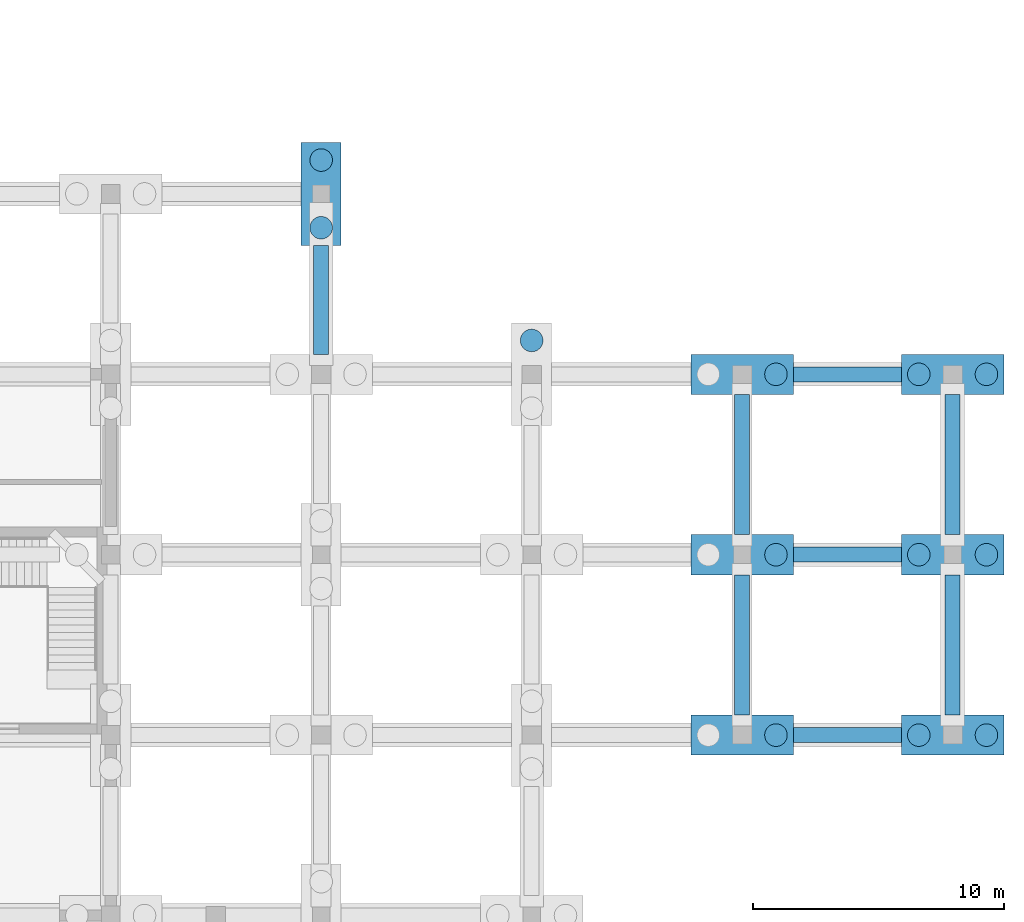
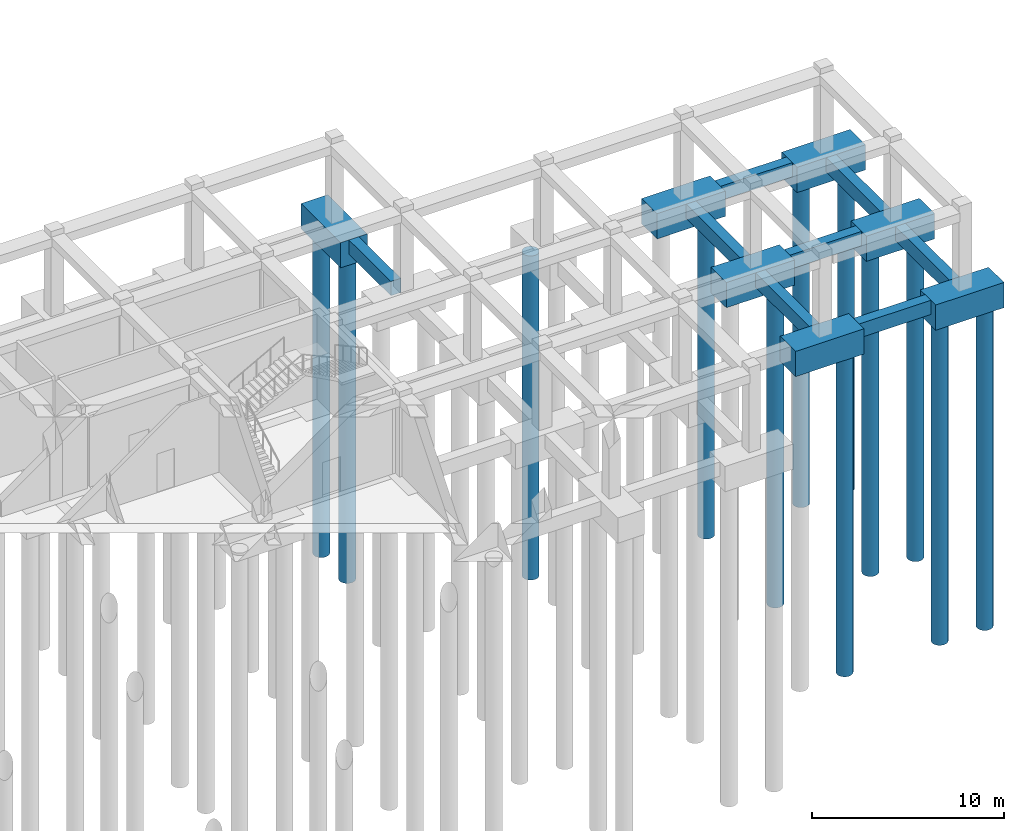
# One storey, part 8 of 32: 15 footings, 12 piles.
"""IFC4 building model written with IfcOpenShell, lengths in metres."""

from ifc_helpers import new_model, si_unit, derived_unit, direction, frame, origin, origin_2d, place, context, subcontext, project, spatial, rectangle, circle, extrude, material, material_profile, profile_set, type_object, element, save


model = new_model("IFC4")

# Units and contexts
model_context = context("Model", 3, precision=1e-05, world=origin(), true_north=direction((0.0, 1.0)))
body_context = subcontext(model_context, "Body", "Model", "MODEL_VIEW")
ifc_project = project(units=[si_unit("LENGTHUNIT", "METRE"), si_unit("AREAUNIT", "SQUARE_METRE"), si_unit("VOLUMEUNIT", "CUBIC_METRE"), si_unit("PLANEANGLEUNIT", "RADIAN"), si_unit("MASSUNIT", "GRAM", prefix="KILO"), derived_unit("THERMALTRANSMITTANCEUNIT", [(si_unit("POWERUNIT", "WATT"), 1), (si_unit("LENGTHUNIT", "METRE"), -2), (si_unit("THERMODYNAMICTEMPERATUREUNIT", "KELVIN"), -1)])], contexts=[model_context])

# Site, building, storey
site_placement = place(None, origin())
site = spatial("IfcSite", under=ifc_project, at=site_placement, CompositionType="ELEMENT")
building_placement = place(site_placement, origin())
building = spatial("IfcBuilding", under=site, at=building_placement, Name="Veybourne Emporium", CompositionType="ELEMENT")
storey_placement = place(building_placement, frame((0.0, 0.0, -5.39990234375)))
storey = spatial("IfcBuildingStorey", under=building, at=storey_placement, Name="B1", CompositionType="ELEMENT", Elevation=-5.39990234375)

# Footings
ifc_material = material(Name="Concrete C35/45", Category="concrete")
footing_type_1 = type_object("IfcFootingType", Name="GroundBeam_GB-4300", PredefinedType="FOOTING_BEAM", material=ifc_material)
for number, where, z_axis, x_axis, name in (
    (1, (163.800048828125, 7.199951171875, -0.900146484375), (0.0, 0.0, 1.0), (1.0, 0.0, 0.0), "Ground tie beam GB-4300"),
    (2, (163.800048828125, 14.39990234375, -0.900146484375), (0.0, 0.0, 1.0), (1.0, 0.0, 0.0), "Ground tie beam GB-4300"),
    (3, (163.800048828125, 21.60009765625, -0.900146484375), (0.0, 0.0, 1.0), (1.0, 0.0, 0.0), "Ground tie beam GB-4300"),
):
    element("IfcFooting", number, at=place(storey_placement, frame(where, z_axis=z_axis, x_axis=x_axis)), inside=storey, type_object=footing_type_1, Name=name, PredefinedType="FOOTING_BEAM", context=body_context, shape_type="SweptSolid", body=[
        extrude(rectangle(XDim=4.300048828125, YDim=0.60009765625, at=origin_2d()), origin(), (0.0, 0.0, 1.0), 0.89990234375),
    ])
footing_type_2 = type_object("IfcFootingType", Name="GroundBeam_GB-4350", PredefinedType="FOOTING_BEAM", material=ifc_material)
footing_1_placement = place(storey_placement, frame((142.800048828125, 24.574951171875, -0.900146484375), z_axis=(0.0, 0.0, 1.0), x_axis=(0.0, 1.0, 0.0)))
element("IfcFooting", 4, at=footing_1_placement, inside=storey, type_object=footing_type_2, Name="Ground tie beam GB-4350", PredefinedType="FOOTING_BEAM", context=body_context, shape_type="SweptSolid", body=[
    extrude(rectangle(XDim=4.35009765625, YDim=0.60009765625, at=origin_2d()), origin(), (0.0, 0.0, 1.0), 0.89990234375),
])
footing_type_3 = type_object("IfcFootingType", Name="GroundBeam_GB-5600", PredefinedType="FOOTING_BEAM", material=ifc_material)
for number, where, z_axis, x_axis, name in (
    (5, (159.60009765625, 10.800048828125, -0.900146484375), (0.0, 0.0, 1.0), (0.0, 1.0, 0.0), "Ground tie beam GB-5600"),
    (6, (159.60009765625, 18.0, -0.900146484375), (0.0, 0.0, 1.0), (0.0, 1.0, 0.0), "Ground tie beam GB-5600"),
    (7, (168.0, 10.800048828125, -0.900146484375), (0.0, 0.0, 1.0), (0.0, 1.0, 0.0), "Ground tie beam GB-5600"),
    (8, (168.0, 18.0, -0.900146484375), (0.0, 0.0, 1.0), (0.0, 1.0, 0.0), "Ground tie beam GB-5600"),
):
    element("IfcFooting", number, at=place(storey_placement, frame(where, z_axis=z_axis, x_axis=x_axis)), inside=storey, type_object=footing_type_3, Name=name, PredefinedType="FOOTING_BEAM", context=body_context, shape_type="SweptSolid", body=[
        extrude(rectangle(XDim=5.60009765625, YDim=0.60009765625, at=origin_2d()), origin(), (0.0, 0.0, 1.0), 0.89990234375),
    ])
footing_type_4 = type_object("IfcFootingType", Name="PileCap_PC-02", PredefinedType="PILE_CAP", material=ifc_material)
for number, where, z_axis, x_axis, name in (
    (9, (159.60009765625, 7.199951171875, -1.60009765625), (0.0, 0.0, 1.0), (1.0, 0.0, 0.0), "Pile cap PC-02 at grid (19,1)"),
    (10, (159.60009765625, 14.39990234375, -1.60009765625), (0.0, 0.0, 1.0), (1.0, 0.0, 0.0), "Pile cap PC-02 at grid (19,2)"),
    (11, (159.60009765625, 21.60009765625, -1.60009765625), (0.0, 0.0, 1.0), (1.0, 0.0, 0.0), "Pile cap PC-02 at grid (19,3)"),
    (12, (168.0, 7.199951171875, -1.60009765625), (0.0, 0.0, 1.0), (1.0, 0.0, 0.0), "Pile cap PC-02 at grid (20,1)"),
    (13, (168.0, 14.39990234375, -1.60009765625), (0.0, 0.0, 1.0), (1.0, 0.0, 0.0), "Pile cap PC-02 at grid (20,2)"),
    (14, (168.0, 21.60009765625, -1.60009765625), (0.0, 0.0, 1.0), (1.0, 0.0, 0.0), "Pile cap PC-02 at grid (20,3)"),
):
    element("IfcFooting", number, at=place(storey_placement, frame(where, z_axis=z_axis, x_axis=x_axis)), inside=storey, type_object=footing_type_4, Name=name, PredefinedType="PILE_CAP", context=body_context, shape_type="SweptSolid", body=[
        extrude(rectangle(XDim=4.10009765625, YDim=1.60009765625, at=origin_2d()), origin(), (0.0, 0.0, 1.0), 1.60009765625),
    ])
footing_type_5 = type_object("IfcFootingType", Name="PileCap_PC-03", PredefinedType="PILE_CAP", material=ifc_material)
footing_2_placement = place(storey_placement, frame((142.800048828125, 28.800048828125, -1.60009765625), z_axis=(0.0, 0.0, 1.0), x_axis=(1.0, 0.0, 0.0)))
element("IfcFooting", 15, at=footing_2_placement, inside=storey, type_object=footing_type_5, Name="Pile cap PC-03 at grid (17,4)", PredefinedType="PILE_CAP", context=body_context, shape_type="SweptSolid", body=[
    extrude(rectangle(XDim=1.60009765625, YDim=4.10009765625, at=origin_2d()), origin(), (0.0, 0.0, 1.0), 1.60009765625),
])

# Piles
ifc_material_profile = material_profile(ifc_material, circle(Radius=0.449951171875, at=origin_2d()), Name="BORED PILE 900")
ifc_profile_set = profile_set([ifc_material_profile], Name="Concrete C35/45")
pile_type = type_object("IfcPileType", Name="Pile_P-03", PredefinedType="BORED", material=ifc_profile_set)
for number, where, z_axis, x_axis, name in (
    (16, (142.800048828125, 27.449951171875, -1.4501953125), (0.0, 0.0, -1.0), (1.0, 0.0, 0.0), "Bored pile P-03-693"),
    (17, (142.800048828125, 30.14990234375, -1.4501953125), (0.0, 0.0, -1.0), (1.0, 0.0, 0.0), "Bored pile P-03-694"),
    (18, (151.199951171875, 22.949951171875, -1.4501953125), (0.0, 0.0, -1.0), (1.0, 0.0, 0.0), "Bored pile P-03-702"),
    (19, (160.949951171875, 7.199951171875, -1.4501953125), (0.0, 0.0, -1.0), (1.0, 0.0, 0.0), "Bored pile P-03-704"),
    (20, (160.949951171875, 14.39990234375, -1.4501953125), (0.0, 0.0, -1.0), (1.0, 0.0, 0.0), "Bored pile P-03-706"),
    (21, (160.949951171875, 21.60009765625, -1.4501953125), (0.0, 0.0, -1.0), (1.0, 0.0, 0.0), "Bored pile P-03-708"),
    (22, (166.64990234375, 7.199951171875, -1.4501953125), (0.0, 0.0, -1.0), (1.0, 0.0, 0.0), "Bored pile P-03-709"),
    (23, (169.35009765625, 7.199951171875, -1.4501953125), (0.0, 0.0, -1.0), (1.0, 0.0, 0.0), "Bored pile P-03-710"),
    (24, (166.64990234375, 14.39990234375, -1.4501953125), (0.0, 0.0, -1.0), (1.0, 0.0, 0.0), "Bored pile P-03-711"),
    (25, (169.35009765625, 14.39990234375, -1.4501953125), (0.0, 0.0, -1.0), (1.0, 0.0, 0.0), "Bored pile P-03-712"),
    (26, (166.64990234375, 21.60009765625, -1.4501953125), (0.0, 0.0, -1.0), (1.0, 0.0, 0.0), "Bored pile P-03-713"),
    (27, (169.35009765625, 21.60009765625, -1.4501953125), (0.0, 0.0, -1.0), (1.0, 0.0, 0.0), "Bored pile P-03-714"),
):
    element("IfcPile", number, at=place(storey_placement, frame(where, z_axis=z_axis, x_axis=x_axis)), inside=storey, type_object=pile_type, Name=name, PredefinedType="BORED", context=body_context, shape_type="SweptSolid", body=[
        extrude(circle(Radius=0.449951171875, at=origin_2d()), origin(), (0.0, 0.0, 1.0), 20.550048828125),
    ])

save(model, "model.ifc")
